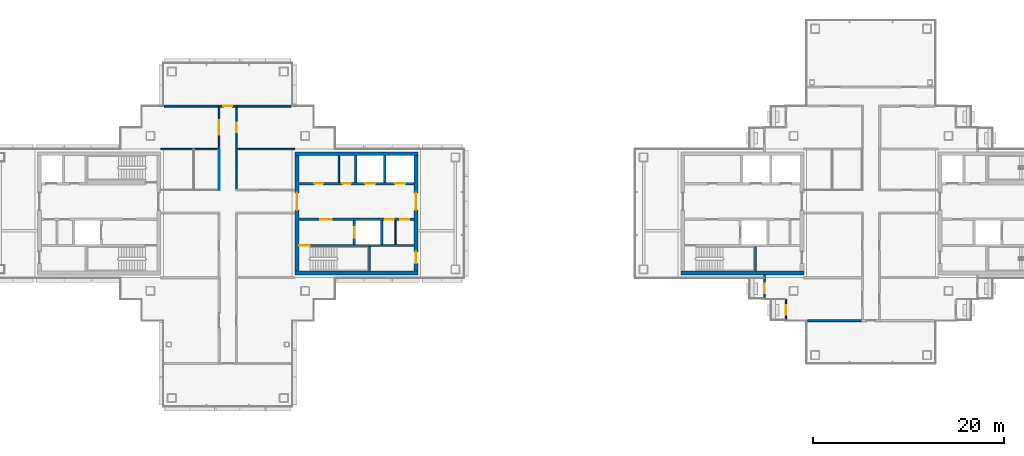
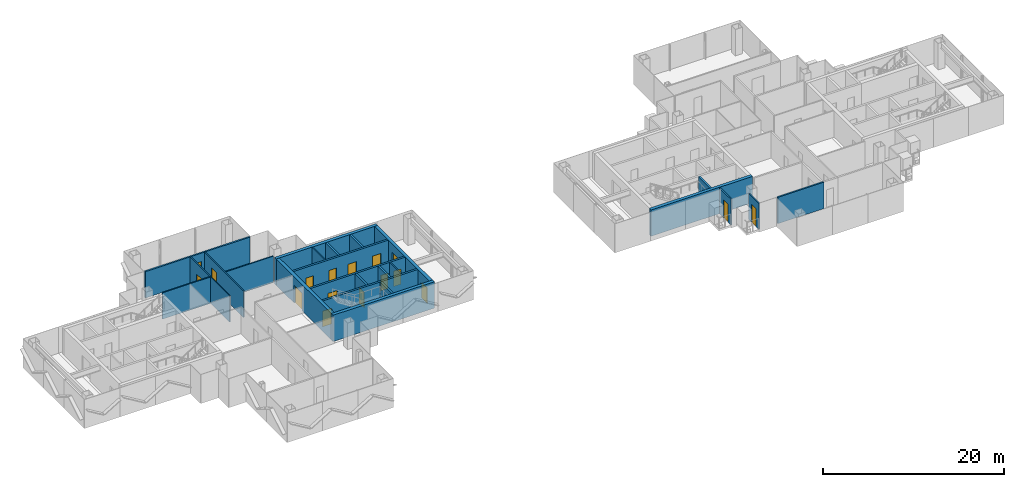
# One storey, part 10 of 17: 27 walls, 17 doors, 17 openings.
"""IFC4 building model written with IfcOpenShell, lengths in metres."""

from ifc_helpers import new_model, si_unit, direction, frame, frame_2d, origin, place, context, subcontext, project, spatial, rectangle, extrude, material, layer, layer_set, type_object, element, fill, save


model = new_model("IFC4")

# Units and contexts
model_context = context("Model", 3, precision=1e-05, world=origin(), true_north=direction((0.0, 1.0)))
body_context = subcontext(model_context, "Body", "Model", "MODEL_VIEW")
ifc_project = project(units=[si_unit("LENGTHUNIT", "METRE"), si_unit("AREAUNIT", "SQUARE_METRE"), si_unit("VOLUMEUNIT", "CUBIC_METRE"), si_unit("PLANEANGLEUNIT", "RADIAN"), si_unit("MASSUNIT", "GRAM", prefix="KILO")], contexts=[model_context])

# Site, building, storey
site_placement = place(None, origin())
site = spatial("IfcSite", under=ifc_project, at=site_placement, CompositionType="ELEMENT")
building_placement = place(site_placement, origin())
building = spatial("IfcBuilding", under=site, at=building_placement, Name="Shamsa Quay Exchange Towers", CompositionType="ELEMENT")
storey_placement = place(building_placement, frame((0.0, 0.0, 234.300048828125)))
storey = spatial("IfcBuildingStorey", under=building, at=storey_placement, Name="L56", CompositionType="ELEMENT", Elevation=234.300048828125)

# Wall, opening, door
ifc_material_1 = material(Name="Double-leaf gypsum board partition with acoustic insulation")
ifc_layer_1 = layer(ifc_material_1, 0.199951171875)
ifc_layer_set_1 = layer_set([ifc_layer_1], Name="Acoustic partition 200 mm EI 60")
wall_type_1 = type_object("IfcWallType", Name="Acoustic partition 200 mm EI 60", PredefinedType="PARTITIONING", material=ifc_layer_set_1)
wall_1_placement = place(storey_placement, frame((-34.725341796875, 11.25, 0.0)))
wall_1 = element("IfcWall", 1, at=wall_1_placement, inside=storey, type_object=wall_type_1, Name="Partition T1-R25-W10", PredefinedType="PARTITIONING", context=body_context, shape_type="SweptSolid", body=[
    extrude(rectangle(XDim=1.95068359375, YDim=0.199951171875, at=frame_2d((0.975341796875, 0.0))), origin(), (0.0, 0.0, 1.0), 3.550048828125),
])
opening_1_placement = place(wall_1_placement, frame((0.525390625, 0.0, 0.0)))
opening_1 = element("IfcOpeningElement", 2, at=opening_1_placement, cuts=wall_1, Name="Opening T1-R25-D06", PredefinedType="OPENING", context=body_context, shape_type="SweptSolid", body=[
    extrude(rectangle(XDim=0.89990234375, YDim=2.39990234375, at=frame_2d((0.449951171875, 1.199951171875))), frame((0.0, 0.10986328125, 0.0), z_axis=(0.0, -1.0, 0.0), x_axis=(1.0, 0.0, 0.0)), (0.0, 0.0, 1.0), 0.219970703125),
])
ifc_material_2 = material(Name="Timber door leaf in a metal frame", Category="wood")
door_type_1 = type_object("IfcDoorType", Name="Door 900x2400 FD30S", OperationType="NOTDEFINED", PredefinedType="DOOR", material=ifc_material_2)
door_1_placement = place(opening_1_placement, origin())
door_1 = element("IfcDoor", 3, at=door_1_placement, inside=storey, type_object=door_type_1, Name="Door T1-R25-D06", OperationType="SINGLE_SWING_LEFT", OverallHeight=2.39990234375, OverallWidth=0.89990234375, PredefinedType="DOOR", context=body_context, shape_type="SweptSolid", body=[
    extrude(rectangle(XDim=0.89990234375, YDim=2.39990234375, at=frame_2d((0.449951171875, 1.199951171875))), frame((0.0, 0.02490234375, 0.0), z_axis=(0.0, -1.0, 0.0), x_axis=(1.0, 0.0, 0.0)), (0.0, 0.0, 1.0), 0.050048828125),
])
fill(opening_1, door_1)

# Walls
for number, where, z_axis, x_axis, name in (
    (4, (-27.094970703125, 11.25, 0.0), (0.0, 0.0, 1.0), (-1.0, 0.0, 0.0), "Partition T1-R25-W18"),
    (5, (-34.575439453125, 11.25, 0.0), (0.0, 0.0, 1.0), (-1.0, 0.0, 0.0), "Partition T1-R25-W19"),
):
    element("IfcWall", number, at=place(storey_placement, frame(where, z_axis=z_axis, x_axis=x_axis)), inside=storey, type_object=wall_type_1, Name=name, PredefinedType="PARTITIONING", context=body_context, shape_type="SweptSolid", body=[
        extrude(rectangle(XDim=5.82958984375, YDim=0.199951171875, at=frame_2d((2.914794921875, 0.0))), origin(), (0.0, 0.0, 1.0), 3.550048828125),
    ])
wall_2_placement = place(storey_placement, frame((27.094970703125, -11.25, 0.0)))
element("IfcWall", 6, at=wall_2_placement, inside=storey, type_object=wall_type_1, Name="Partition T2-R25-W22", PredefinedType="PARTITIONING", context=body_context, shape_type="SweptSolid", body=[
    extrude(rectangle(XDim=5.854736328125, YDim=0.199951171875, at=frame_2d((2.92724609375, 0.0))), origin(), (0.0, 0.0, 1.0), 3.550048828125),
])

# Wall, opening, door
ifc_material_3 = material(Name="Aluminium EN AW-6063 T6, black anodised, with black enamelled glass infill", Category="aluminium")
ifc_layer_2 = layer(ifc_material_3, 0.14990234375)
ifc_layer_set_2 = layer_set([ifc_layer_2], Name="BALCONY DOOR BAY WALL 150")
wall_type_2 = type_object("IfcWallType", Name="BALCONY DOOR BAY WALL 150", PredefinedType="SOLIDWALL", material=ifc_layer_set_2)
wall_3_placement = place(storey_placement, frame((22.574951171875, -9.0, 0.0), z_axis=(0.0, 0.0, 1.0), x_axis=(0.0, 1.0, 0.0)))
wall_3 = element("IfcWall", 7, at=wall_3_placement, inside=storey, type_object=wall_type_2, Name="Door bay T2-PKWN L56", PredefinedType="SOLIDWALL", context=body_context, shape_type="SweptSolid", body=[
    extrude(rectangle(XDim=2.556884765625, YDim=0.14990234375, at=frame_2d((1.2783203125, 0.0))), origin(), (0.0, 0.0, 1.0), 3.449951171875),
])
opening_2_placement = place(wall_3_placement, frame((0.625, 0.0, 0.0)))
opening_2 = element("IfcOpeningElement", 8, at=opening_2_placement, cuts=wall_3, Name="Opening XD373", PredefinedType="OPENING", context=body_context, shape_type="SweptSolid", body=[
    extrude(rectangle(XDim=1.0, YDim=2.39990234375, at=frame_2d((0.5, 1.199951171875))), frame((0.0, 0.0849609375, 0.0), z_axis=(0.0, -1.0, 0.0), x_axis=(1.0, 0.0, 0.0)), (0.0, 0.0, 1.0), 0.169921875),
])
ifc_material_4 = material(Name="Aluminium EN AW-6063 T6, black anodised, with laminated glass leaf", Category="aluminium")
door_type_2 = type_object("IfcDoorType", Name="BALCONY DOOR 1000x2400", OperationType="SINGLE_SWING_LEFT", PredefinedType="DOOR", material=ifc_material_4)
door_2_placement = place(opening_2_placement, origin())
door_2 = element("IfcDoor", 9, at=door_2_placement, inside=storey, type_object=door_type_2, Name="Balcony door T2-PKWN L56", OperationType="SINGLE_SWING_LEFT", OverallHeight=2.39990234375, OverallWidth=1.0, PredefinedType="DOOR", context=body_context, shape_type="SweptSolid", body=[
    extrude(rectangle(XDim=1.0, YDim=2.39990234375, at=frame_2d((0.5, 1.199951171875))), frame((0.0, 0.02490234375, 0.0), z_axis=(0.0, -1.0, 0.0), x_axis=(1.0, 0.0, 0.0)), (0.0, 0.0, 1.0), 0.050048828125),
])
fill(opening_2, door_2)

wall_4_placement = place(storey_placement, frame((24.824951171875, -11.25, 0.0), z_axis=(0.0, 0.0, 1.0), x_axis=(0.0, 1.0, 0.0)))
wall_4 = element("IfcWall", 10, at=wall_4_placement, inside=storey, type_object=wall_type_2, Name="Door bay T2-PKWN L56", PredefinedType="SOLIDWALL", context=body_context, shape_type="SweptSolid", body=[
    extrude(rectangle(XDim=2.25, YDim=0.14990234375, at=frame_2d((1.125, 0.0))), origin(), (0.0, 0.0, 1.0), 3.449951171875),
])
opening_3_placement = place(wall_4_placement, frame((0.625, 0.0, 0.0)))
opening_3 = element("IfcOpeningElement", 11, at=opening_3_placement, cuts=wall_4, Name="Opening XD374", PredefinedType="OPENING", context=body_context, shape_type="SweptSolid", body=[
    extrude(rectangle(XDim=1.0, YDim=2.39990234375, at=frame_2d((0.5, 1.199951171875))), frame((0.0, 0.0849609375, 0.0), z_axis=(0.0, -1.0, 0.0), x_axis=(1.0, 0.0, 0.0)), (0.0, 0.0, 1.0), 0.169921875),
])
door_3_placement = place(opening_3_placement, origin())
door_3 = element("IfcDoor", 12, at=door_3_placement, inside=storey, type_object=door_type_2, Name="Balcony door T2-PKWN L56", OperationType="SINGLE_SWING_RIGHT", OverallHeight=2.39990234375, OverallWidth=1.0, PredefinedType="DOOR", context=body_context, shape_type="SweptSolid", body=[
    extrude(rectangle(XDim=1.0, YDim=2.39990234375, at=frame_2d((0.5, 1.199951171875))), frame((0.0, 0.02490234375, 0.0), z_axis=(0.0, -1.0, 0.0), x_axis=(1.0, 0.0, 0.0)), (0.0, 0.0, 1.0), 0.050048828125),
])
fill(opening_3, door_3)

# Walls
ifc_material_5 = material(Name="Concrete C60/75", Category="concrete")
ifc_layer_3 = layer(ifc_material_5, 0.39990234375)
ifc_layer_set_3 = layer_set([ifc_layer_3], Name="CORE WALL 400 C60/75")
wall_type_3 = type_object("IfcWallType", Name="CORE WALL 400 C60/75", PredefinedType="SHEAR", material=ifc_layer_set_3)
for number, where, name in (
    (13, (-26.699951171875, -6.25, 0.0), "Core wall T1A-R25-PS"),
    (14, (-26.699951171875, 6.25, 0.0), "Core wall T1A-R25-PN"),
):
    element("IfcWall", number, at=place(storey_placement, frame(where)), inside=storey, type_object=wall_type_3, Name=name, PredefinedType="SHEAR", context=body_context, shape_type="SweptSolid", body=[
        extrude(rectangle(XDim=12.89990234375, YDim=0.39990234375, at=frame_2d((6.449951171875, 0.0))), origin(), (0.0, 0.0, 1.0), 3.550048828125),
    ])

# Wall, opening, door
wall_5_placement = place(storey_placement, frame((-26.5, 6.050048828125, 0.0), z_axis=(0.0, 0.0, 1.0), x_axis=(0.0, -1.0, 0.0)))
wall_5 = element("IfcWall", 15, at=wall_5_placement, inside=storey, type_object=wall_type_3, Name="Core wall T1A-R25-PF", PredefinedType="SHEAR", context=body_context, shape_type="SweptSolid", body=[
    extrude(rectangle(XDim=12.10009765625, YDim=0.39990234375, at=frame_2d((6.050048828125, 0.0))), origin(), (0.0, 0.0, 1.0), 3.550048828125),
])
opening_4_placement = place(wall_5_placement, frame((3.89990234375, 0.0, 0.0)))
opening_4 = element("IfcOpeningElement", 16, at=opening_4_placement, cuts=wall_5, Name="Opening T1A-R25-LBD01", PredefinedType="OPENING", context=body_context, shape_type="SweptSolid", body=[
    extrude(rectangle(XDim=1.800048828125, YDim=2.39990234375, at=frame_2d((0.89990234375, 1.199951171875))), frame((0.0, 0.2099609375, 0.0), z_axis=(0.0, -1.0, 0.0), x_axis=(1.0, 0.0, 0.0)), (0.0, 0.0, 1.0), 0.419921875),
])
ifc_material_6 = material(Name="Steel, fire rated", Category="steel")
door_type_3 = type_object("IfcDoorType", Name="LIFT LOBBY DOOR PAIR 1800", OperationType="DOUBLE_DOOR_SINGLE_SWING", PredefinedType="DOOR", material=ifc_material_6)
door_4_placement = place(opening_4_placement, origin())
door_4 = element("IfcDoor", 17, at=door_4_placement, inside=storey, type_object=door_type_3, Name="T1A-R25-LBD01", OperationType="DOUBLE_DOOR_SINGLE_SWING", OverallHeight=2.39990234375, OverallWidth=1.800048828125, PredefinedType="DOOR", context=body_context, shape_type="SweptSolid", body=[
    extrude(rectangle(XDim=1.800048828125, YDim=2.39990234375, at=frame_2d((0.89990234375, 1.199951171875))), frame((0.0, 0.02490234375, 0.0), z_axis=(0.0, -1.0, 0.0), x_axis=(1.0, 0.0, 0.0)), (0.0, 0.0, 1.0), 0.050048828125),
])
fill(opening_4, door_4)

# Wall, openings, doors
wall_6_placement = place(storey_placement, frame((-14.0, 6.050048828125, 0.0), z_axis=(0.0, 0.0, 1.0), x_axis=(0.0, -1.0, 0.0)))
wall_6 = element("IfcWall", 18, at=wall_6_placement, inside=storey, type_object=wall_type_3, Name="Core wall T1A-R25-PB", PredefinedType="SHEAR", context=body_context, shape_type="SweptSolid", body=[
    extrude(rectangle(XDim=12.10009765625, YDim=0.39990234375, at=frame_2d((6.050048828125, 0.0))), origin(), (0.0, 0.0, 1.0), 3.550048828125),
])
opening_5_placement = place(wall_6_placement, frame((10.10009765625, 0.0, 0.0)))
opening_5 = element("IfcOpeningElement", 19, at=opening_5_placement, cuts=wall_6, Name="Opening T1A-R25-RD02", PredefinedType="OPENING", context=body_context, shape_type="SweptSolid", body=[
    extrude(rectangle(XDim=1.199951171875, YDim=2.10009765625, at=frame_2d((0.60009765625, 1.050048828125))), frame((0.0, 0.2099609375, 0.0), z_axis=(0.0, -1.0, 0.0), x_axis=(1.0, 0.0, 0.0)), (0.0, 0.0, 1.0), 0.419921875),
])
opening_6_placement = place(wall_6_placement, frame((3.89990234375, 0.0, 0.0)))
opening_6 = element("IfcOpeningElement", 20, at=opening_6_placement, cuts=wall_6, Name="Opening T1A-R25-LBD03", PredefinedType="OPENING", context=body_context, shape_type="SweptSolid", body=[
    extrude(rectangle(XDim=1.800048828125, YDim=2.39990234375, at=frame_2d((0.89990234375, 1.199951171875))), frame((0.0, 0.2099609375, 0.0), z_axis=(0.0, -1.0, 0.0), x_axis=(1.0, 0.0, 0.0)), (0.0, 0.0, 1.0), 0.419921875),
])
door_5_placement = place(opening_6_placement, origin())
door_5 = element("IfcDoor", 21, at=door_5_placement, inside=storey, type_object=door_type_3, Name="T1A-R25-LBD03", OperationType="DOUBLE_DOOR_SINGLE_SWING", OverallHeight=2.39990234375, OverallWidth=1.800048828125, PredefinedType="DOOR", context=body_context, shape_type="SweptSolid", body=[
    extrude(rectangle(XDim=1.800048828125, YDim=2.39990234375, at=frame_2d((0.89990234375, 1.199951171875))), frame((0.0, 0.02490234375, 0.0), z_axis=(0.0, -1.0, 0.0), x_axis=(1.0, 0.0, 0.0)), (0.0, 0.0, 1.0), 0.050048828125),
])
fill(opening_6, door_5)
door_type_4 = type_object("IfcDoorType", Name="RISER ACCESS DOOR 1200", OperationType="SINGLE_SWING_LEFT", PredefinedType="DOOR", material=ifc_material_6)
door_6_placement = place(opening_5_placement, origin())
door_6 = element("IfcDoor", 22, at=door_6_placement, inside=storey, type_object=door_type_4, Name="T1A-R25-RD02", OperationType="SINGLE_SWING_RIGHT", OverallHeight=2.10009765625, OverallWidth=1.199951171875, PredefinedType="DOOR", context=body_context, shape_type="SweptSolid", body=[
    extrude(rectangle(XDim=1.199951171875, YDim=2.10009765625, at=frame_2d((0.60009765625, 1.050048828125))), frame((0.0, 0.02490234375, 0.0), z_axis=(0.0, -1.0, 0.0), x_axis=(1.0, 0.0, 0.0)), (0.0, 0.0, 1.0), 0.050048828125),
])
fill(opening_5, door_6)

# Walls
wall_7_placement = place(storey_placement, frame((13.800048828125, -6.25, 0.0)))
element("IfcWall", 23, at=wall_7_placement, inside=storey, type_object=wall_type_3, Name="Core wall T2A-R25-PS", PredefinedType="SHEAR", context=body_context, shape_type="SweptSolid", body=[
    extrude(rectangle(XDim=12.89990234375, YDim=0.39990234375, at=frame_2d((6.449951171875, 0.0))), origin(), (0.0, 0.0, 1.0), 3.550048828125),
])
ifc_material_7 = material(Name="Gypsum board on steel studs, EI 60", Category="steel")
ifc_layer_4 = layer(ifc_material_7, 0.14990234375)
ifc_layer_set_4 = layer_set([ifc_layer_4], Name="FIRE PARTITION 150")
wall_type_4 = type_object("IfcWallType", Name="FIRE PARTITION 150", PredefinedType="PARTITIONING", material=ifc_layer_set_4)
wall_8_placement = place(storey_placement, frame((-16.14990234375, -3.25, 0.0), z_axis=(0.0, 0.0, 1.0), x_axis=(0.0, 1.0, 0.0)))
element("IfcWall", 24, at=wall_8_placement, inside=storey, type_object=wall_type_4, Name="Partition T1A-R25-EC0", PredefinedType="PARTITIONING", context=body_context, shape_type="SweptSolid", body=[
    extrude(rectangle(XDim=2.5, YDim=0.14990234375, at=frame_2d((1.25, 0.0))), origin(), (0.0, 0.0, 1.0), 3.550048828125),
])
wall_9_placement = place(storey_placement, frame((-22.10009765625, 3.25, 0.0), z_axis=(0.0, 0.0, 1.0), x_axis=(0.0, 1.0, 0.0)))
element("IfcWall", 25, at=wall_9_placement, inside=storey, type_object=wall_type_4, Name="Partition T1A-R25-FC0", PredefinedType="PARTITIONING", context=body_context, shape_type="SweptSolid", body=[
    extrude(rectangle(XDim=2.800048828125, YDim=0.14990234375, at=frame_2d((1.39990234375, 0.0))), origin(), (0.0, 0.0, 1.0), 3.550048828125),
])
ifc_material_8 = material(Name="Gypsum board partition on metal studs")
ifc_layer_5 = layer(ifc_material_8, 0.10009765625)
ifc_layer_set_5 = layer_set([ifc_layer_5], Name="Partition 100 mm NOT RATED")
wall_type_5 = type_object("IfcWallType", Name="Partition 100 mm NOT RATED", PredefinedType="PARTITIONING", material=ifc_layer_set_5)
wall_10_placement = place(storey_placement, frame((-34.650390625, 2.500244140625, 0.0), z_axis=(0.0, 0.0, 1.0), x_axis=(0.0, 1.0, 0.0)))
element("IfcWall", 26, at=wall_10_placement, inside=storey, type_object=wall_type_5, Name="Partition T1-R25-W07", PredefinedType="PARTITIONING", context=body_context, shape_type="SweptSolid", body=[
    extrude(rectangle(XDim=4.1748046875, YDim=0.10009765625, at=frame_2d((2.08740234375, 0.0))), origin(), (0.0, 0.0, 1.0), 3.550048828125),
])

# Wall, opening, door
ifc_layer_6 = layer(ifc_material_8, 0.14990234375)
ifc_layer_set_6 = layer_set([ifc_layer_6], Name="Partition 150 mm EI 60")
wall_type_6 = type_object("IfcWallType", Name="Partition 150 mm EI 60", PredefinedType="PARTITIONING", material=ifc_layer_set_6)
wall_11_placement = place(storey_placement, frame((-32.849609375, 11.14990234375, 0.0), z_axis=(0.0, 0.0, 1.0), x_axis=(0.0, -1.0, 0.0)))
wall_11 = element("IfcWall", 27, at=wall_11_placement, inside=storey, type_object=wall_type_6, Name="Partition T1-R25-W01", PredefinedType="PARTITIONING", context=body_context, shape_type="SweptSolid", body=[
    extrude(rectangle(XDim=8.624755859375, YDim=0.14990234375, at=frame_2d((4.3125, 0.0))), origin(), (0.0, 0.0, 1.0), 3.550048828125),
])
opening_7_placement = place(wall_11_placement, frame((1.64990234375, 0.0, 0.0)))
opening_7 = element("IfcOpeningElement", 28, at=opening_7_placement, cuts=wall_11, Name="Opening T1-R25-D11", PredefinedType="OPENING", context=body_context, shape_type="SweptSolid", body=[
    extrude(rectangle(XDim=1.0, YDim=2.39990234375, at=frame_2d((0.5, 1.199951171875))), frame((0.0, 0.0849609375, 0.0), z_axis=(0.0, -1.0, 0.0), x_axis=(1.0, 0.0, 0.0)), (0.0, 0.0, 1.0), 0.169921875),
])
door_type_5 = type_object("IfcDoorType", Name="Door 1000x2400 FD30S", OperationType="NOTDEFINED", PredefinedType="DOOR", material=ifc_material_2)
door_7_placement = place(opening_7_placement, origin())
door_7 = element("IfcDoor", 29, at=door_7_placement, inside=storey, type_object=door_type_5, Name="Door T1-R25-D11", OperationType="SINGLE_SWING_RIGHT", OverallHeight=2.39990234375, OverallWidth=1.0, PredefinedType="DOOR", context=body_context, shape_type="SweptSolid", body=[
    extrude(rectangle(XDim=1.0, YDim=2.39990234375, at=frame_2d((0.5, 1.199951171875))), frame((0.0, 0.02490234375, 0.0), z_axis=(0.0, -1.0, 0.0), x_axis=(1.0, 0.0, 0.0)), (0.0, 0.0, 1.0), 0.050048828125),
])
fill(opening_7, door_7)

wall_12_placement = place(storey_placement, frame((-34.650390625, 6.824951171875, 0.0), z_axis=(0.0, 0.0, 1.0), x_axis=(0.0, 1.0, 0.0)))
wall_12 = element("IfcWall", 30, at=wall_12_placement, inside=storey, type_object=wall_type_6, Name="Partition T1-R25-W09", PredefinedType="PARTITIONING", context=body_context, shape_type="SweptSolid", body=[
    extrude(rectangle(XDim=4.324951171875, YDim=0.14990234375, at=frame_2d((2.16259765625, 0.0))), origin(), (0.0, 0.0, 1.0), 3.550048828125),
])
opening_8_placement = place(wall_12_placement, frame((1.425048828125, 0.0, 0.0)))
opening_8 = element("IfcOpeningElement", 31, at=opening_8_placement, cuts=wall_12, Name="Opening T1-R25-D05", PredefinedType="OPENING", context=body_context, shape_type="SweptSolid", body=[
    extrude(rectangle(XDim=1.5, YDim=2.10009765625, at=frame_2d((0.75, 1.050048828125))), frame((0.0, 0.0849609375, 0.0), z_axis=(0.0, -1.0, 0.0), x_axis=(1.0, 0.0, 0.0)), (0.0, 0.0, 1.0), 0.169921875),
])
door_type_6 = type_object("IfcDoorType", Name="Door 1500x2100 FD30S pair", OperationType="NOTDEFINED", PredefinedType="DOOR", material=ifc_material_2)
door_8_placement = place(opening_8_placement, origin())
door_8 = element("IfcDoor", 32, at=door_8_placement, inside=storey, type_object=door_type_6, Name="Door T1-R25-D05", OperationType="DOUBLE_DOOR_SINGLE_SWING", OverallHeight=2.10009765625, OverallWidth=1.5, PredefinedType="DOOR", context=body_context, shape_type="SweptSolid", body=[
    extrude(rectangle(XDim=1.5, YDim=2.10009765625, at=frame_2d((0.75, 1.050048828125))), frame((0.0, 0.02490234375, 0.0), z_axis=(0.0, -1.0, 0.0), x_axis=(1.0, 0.0, 0.0)), (0.0, 0.0, 1.0), 0.050048828125),
])
fill(opening_8, door_8)

# Walls
wall_13_placement = place(storey_placement, frame((-26.699951171875, 6.75, 0.0), z_axis=(0.0, 0.0, 1.0), x_axis=(-1.0, 0.0, 0.0)))
element("IfcWall", 33, at=wall_13_placement, inside=storey, type_object=wall_type_6, Name="Partition T1-R25-W13", PredefinedType="PARTITIONING", context=body_context, shape_type="SweptSolid", body=[
    extrude(rectangle(XDim=6.07470703125, YDim=0.14990234375, at=frame_2d((3.037353515625, 0.0))), origin(), (0.0, 0.0, 1.0), 3.550048828125),
])
wall_14_placement = place(storey_placement, frame((-34.575439453125, 6.75, 0.0), z_axis=(0.0, 0.0, 1.0), x_axis=(-1.0, 0.0, 0.0)))
element("IfcWall", 34, at=wall_14_placement, inside=storey, type_object=wall_type_6, Name="Partition T1-R25-W14", PredefinedType="PARTITIONING", context=body_context, shape_type="SweptSolid", body=[
    extrude(rectangle(XDim=6.224609375, YDim=0.14990234375, at=frame_2d((3.1123046875, 0.0))), origin(), (0.0, 0.0, 1.0), 3.550048828125),
])

# Wall, opening, door
ifc_material_9 = material(Name="Concrete C50/60", Category="concrete")
ifc_layer_7 = layer(ifc_material_9, 0.25)
ifc_layer_set_7 = layer_set([ifc_layer_7], Name="SHAFT WALL 250 C50/60")
wall_type_7 = type_object("IfcWallType", Name="SHAFT WALL 250 C50/60", PredefinedType="SHEAR", material=ifc_layer_set_7)
wall_15_placement = place(storey_placement, frame((-14.199951171875, -3.375, 0.0), z_axis=(0.0, 0.0, 1.0), x_axis=(-1.0, 0.0, 0.0)))
wall_15 = element("IfcWall", 35, at=wall_15_placement, inside=storey, type_object=wall_type_7, Name="Shaft wall T1A-R25-STL", PredefinedType="SHEAR", context=body_context, shape_type="SweptSolid", body=[
    extrude(rectangle(XDim=12.10009765625, YDim=0.25, at=frame_2d((6.050048828125, 0.0))), origin(), (0.0, 0.0, 1.0), 3.550048828125),
])
opening_9_placement = place(wall_15_placement, frame((10.949951171875, 0.0, 0.0)))
opening_9 = element("IfcOpeningElement", 36, at=opening_9_placement, cuts=wall_15, Name="Opening T1A-R25-SD04", PredefinedType="OPENING", context=body_context, shape_type="SweptSolid", body=[
    extrude(rectangle(XDim=1.10009765625, YDim=2.10009765625, at=frame_2d((0.550048828125, 1.050048828125))), frame((0.0, 0.135009765625, 0.0), z_axis=(0.0, -1.0, 0.0), x_axis=(1.0, 0.0, 0.0)), (0.0, 0.0, 1.0), 0.27001953125),
])
door_type_7 = type_object("IfcDoorType", Name="STAIR DOOR 1100", OperationType="SINGLE_SWING_LEFT", PredefinedType="DOOR", material=ifc_material_6)
door_9_placement = place(opening_9_placement, origin())
door_9 = element("IfcDoor", 37, at=door_9_placement, inside=storey, type_object=door_type_7, Name="T1A-R25-SD04", OperationType="SINGLE_SWING_RIGHT", OverallHeight=2.10009765625, OverallWidth=1.10009765625, PredefinedType="DOOR", context=body_context, shape_type="SweptSolid", body=[
    extrude(rectangle(XDim=1.10009765625, YDim=2.10009765625, at=frame_2d((0.550048828125, 1.050048828125))), frame((0.0, 0.02490234375, 0.0), z_axis=(0.0, -1.0, 0.0), x_axis=(1.0, 0.0, 0.0)), (0.0, 0.0, 1.0), 0.050048828125),
])
fill(opening_9, door_9)

# Wall
wall_16_placement = place(storey_placement, frame((-18.875, -6.050048828125, 0.0), z_axis=(0.0, 0.0, 1.0), x_axis=(0.0, 1.0, 0.0)))
element("IfcWall", 38, at=wall_16_placement, inside=storey, type_object=wall_type_7, Name="Shaft wall T1A-R25-STF", PredefinedType="SHEAR", context=body_context, shape_type="SweptSolid", body=[
    extrude(rectangle(XDim=2.550048828125, YDim=0.25, at=frame_2d((1.27490234375, 0.0))), origin(), (0.0, 0.0, 1.0), 3.550048828125),
])

# Wall, openings, doors
wall_17_placement = place(storey_placement, frame((-14.199951171875, -0.625, 0.0), z_axis=(0.0, 0.0, 1.0), x_axis=(-1.0, 0.0, 0.0)))
wall_17 = element("IfcWall", 39, at=wall_17_placement, inside=storey, type_object=wall_type_7, Name="Shaft wall T1A-R25-B", PredefinedType="SHEAR", context=body_context, shape_type="SweptSolid", body=[
    extrude(rectangle(XDim=12.10009765625, YDim=0.25, at=frame_2d((6.050048828125, 0.0))), origin(), (0.0, 0.0, 1.0), 3.550048828125),
])
opening_10_placement = place(wall_17_placement, frame((8.64990234375, 0.0, 0.0)))
opening_10 = element("IfcOpeningElement", 40, at=opening_10_placement, cuts=wall_17, Name="Opening T1A-R25-FD05", PredefinedType="OPENING", context=body_context, shape_type="SweptSolid", body=[
    extrude(rectangle(XDim=1.199951171875, YDim=2.10009765625, at=frame_2d((0.60009765625, 1.050048828125))), frame((0.0, 0.135009765625, 0.0), z_axis=(0.0, -1.0, 0.0), x_axis=(1.0, 0.0, 0.0)), (0.0, 0.0, 1.0), 0.27001953125),
])
opening_11_placement = place(wall_17_placement, frame((2.14990234375, 0.0, 0.0)))
opening_11 = element("IfcOpeningElement", 41, at=opening_11_placement, cuts=wall_17, Name="Opening T1A-R25-SV06", PredefinedType="OPENING", context=body_context, shape_type="SweptSolid", body=[
    extrude(rectangle(XDim=0.89990234375, YDim=2.10009765625, at=frame_2d((0.449951171875, 1.050048828125))), frame((0.0, 0.135009765625, 0.0), z_axis=(0.0, -1.0, 0.0), x_axis=(1.0, 0.0, 0.0)), (0.0, 0.0, 1.0), 0.27001953125),
])
opening_12_placement = place(wall_17_placement, frame((0.52490234375, 0.0, 0.0)))
opening_12 = element("IfcOpeningElement", 42, at=opening_12_placement, cuts=wall_17, Name="Opening T1A-R25-SV07", PredefinedType="OPENING", context=body_context, shape_type="SweptSolid", body=[
    extrude(rectangle(XDim=0.89990234375, YDim=2.10009765625, at=frame_2d((0.449951171875, 1.050048828125))), frame((0.0, 0.135009765625, 0.0), z_axis=(0.0, -1.0, 0.0), x_axis=(1.0, 0.0, 0.0)), (0.0, 0.0, 1.0), 0.27001953125),
])
door_type_8 = type_object("IfcDoorType", Name="FIRE SERVICE LOBBY DOOR 1200", OperationType="SINGLE_SWING_LEFT", PredefinedType="DOOR", material=ifc_material_6)
door_10_placement = place(opening_10_placement, origin())
door_10 = element("IfcDoor", 43, at=door_10_placement, inside=storey, type_object=door_type_8, Name="T1A-R25-FD05", OperationType="SINGLE_SWING_RIGHT", OverallHeight=2.10009765625, OverallWidth=1.199951171875, PredefinedType="DOOR", context=body_context, shape_type="SweptSolid", body=[
    extrude(rectangle(XDim=1.199951171875, YDim=2.10009765625, at=frame_2d((0.60009765625, 1.050048828125))), frame((0.0, 0.02490234375, 0.0), z_axis=(0.0, -1.0, 0.0), x_axis=(1.0, 0.0, 0.0)), (0.0, 0.0, 1.0), 0.050048828125),
])
fill(opening_10, door_10)
door_type_9 = type_object("IfcDoorType", Name="SERVICE ROOM DOOR 900", OperationType="SINGLE_SWING_LEFT", PredefinedType="DOOR", material=ifc_material_6)
door_11_placement = place(opening_11_placement, origin())
door_11 = element("IfcDoor", 44, at=door_11_placement, inside=storey, type_object=door_type_9, Name="T1A-R25-SV06", OperationType="SINGLE_SWING_LEFT", OverallHeight=2.10009765625, OverallWidth=0.89990234375, PredefinedType="DOOR", context=body_context, shape_type="SweptSolid", body=[
    extrude(rectangle(XDim=0.89990234375, YDim=2.10009765625, at=frame_2d((0.449951171875, 1.050048828125))), frame((0.0, 0.02490234375, 0.0), z_axis=(0.0, -1.0, 0.0), x_axis=(1.0, 0.0, 0.0)), (0.0, 0.0, 1.0), 0.050048828125),
])
fill(opening_11, door_11)
door_12_placement = place(opening_12_placement, origin())
door_12 = element("IfcDoor", 45, at=door_12_placement, inside=storey, type_object=door_type_9, Name="T1A-R25-SV07", OperationType="SINGLE_SWING_LEFT", OverallHeight=2.10009765625, OverallWidth=0.89990234375, PredefinedType="DOOR", context=body_context, shape_type="SweptSolid", body=[
    extrude(rectangle(XDim=0.89990234375, YDim=2.10009765625, at=frame_2d((0.449951171875, 1.050048828125))), frame((0.0, 0.02490234375, 0.0), z_axis=(0.0, -1.0, 0.0), x_axis=(1.0, 0.0, 0.0)), (0.0, 0.0, 1.0), 0.050048828125),
])
fill(opening_12, door_12)

# Wall, opening, door
wall_18_placement = place(storey_placement, frame((-20.47509765625, -3.25, 0.0), z_axis=(0.0, 0.0, 1.0), x_axis=(0.0, 1.0, 0.0)))
wall_18 = element("IfcWall", 46, at=wall_18_placement, inside=storey, type_object=wall_type_7, Name="Shaft wall T1A-R25-FFF", PredefinedType="SHEAR", context=body_context, shape_type="SweptSolid", body=[
    extrude(rectangle(XDim=2.5, YDim=0.25, at=frame_2d((1.25, 0.0))), origin(), (0.0, 0.0, 1.0), 3.550048828125),
])
opening_13_placement = place(wall_18_placement, frame((0.699951171875, 0.0, 0.0)))
opening_13 = element("IfcOpeningElement", 47, at=opening_13_placement, cuts=wall_18, Name="Opening T1A-R25-LDF08", PredefinedType="OPENING", context=body_context, shape_type="SweptSolid", body=[
    extrude(rectangle(XDim=1.10009765625, YDim=2.10009765625, at=frame_2d((0.550048828125, 1.050048828125))), frame((0.0, 0.135009765625, 0.0), z_axis=(0.0, -1.0, 0.0), x_axis=(1.0, 0.0, 0.0)), (0.0, 0.0, 1.0), 0.27001953125),
])
door_type_10 = type_object("IfcDoorType", Name="FIRE SERVICE LANDING DOOR 1100", OperationType="SLIDING_TO_LEFT", PredefinedType="DOOR", material=ifc_material_6)
door_13_placement = place(opening_13_placement, origin())
door_13 = element("IfcDoor", 48, at=door_13_placement, inside=storey, type_object=door_type_10, Name="T1A-R25-LDF08", OperationType="SLIDING_TO_LEFT", OverallHeight=2.10009765625, OverallWidth=1.10009765625, PredefinedType="DOOR", context=body_context, shape_type="SweptSolid", body=[
    extrude(rectangle(XDim=1.10009765625, YDim=2.10009765625, at=frame_2d((0.550048828125, 1.050048828125))), frame((0.0, 0.02490234375, 0.0), z_axis=(0.0, -1.0, 0.0), x_axis=(1.0, 0.0, 0.0)), (0.0, 0.0, 1.0), 0.050048828125),
])
fill(opening_13, door_13)

# Wall
wall_19_placement = place(storey_placement, frame((-17.574951171875, -3.25, 0.0), z_axis=(0.0, 0.0, 1.0), x_axis=(0.0, 1.0, 0.0)))
element("IfcWall", 49, at=wall_19_placement, inside=storey, type_object=wall_type_7, Name="Shaft wall T1A-R25-FFB", PredefinedType="SHEAR", context=body_context, shape_type="SweptSolid", body=[
    extrude(rectangle(XDim=2.5, YDim=0.25, at=frame_2d((1.25, 0.0))), origin(), (0.0, 0.0, 1.0), 3.550048828125),
])

# Wall, openings, doors
wall_20_placement = place(storey_placement, frame((-26.300048828125, 3.125, 0.0)))
wall_20 = element("IfcWall", 50, at=wall_20_placement, inside=storey, type_object=wall_type_7, Name="Shaft wall T1A-R25-N", PredefinedType="SHEAR", context=body_context, shape_type="SweptSolid", body=[
    extrude(rectangle(XDim=12.10009765625, YDim=0.25, at=frame_2d((6.050048828125, 0.0))), origin(), (0.0, 0.0, 1.0), 3.550048828125),
])
opening_14_placement = place(wall_20_placement, frame((6.949951171875, 0.0, 0.0)))
opening_14 = element("IfcOpeningElement", 51, at=opening_14_placement, cuts=wall_20, Name="Opening T1A-R25-LD09", PredefinedType="OPENING", context=body_context, shape_type="SweptSolid", body=[
    extrude(rectangle(XDim=1.10009765625, YDim=2.10009765625, at=frame_2d((0.550048828125, 1.050048828125))), frame((0.0, 0.135009765625, 0.0), z_axis=(0.0, -1.0, 0.0), x_axis=(1.0, 0.0, 0.0)), (0.0, 0.0, 1.0), 0.27001953125),
])
opening_15_placement = place(wall_20_placement, frame((10.074951171875, 0.0, 0.0)))
opening_15 = element("IfcOpeningElement", 52, at=opening_15_placement, cuts=wall_20, Name="Opening T1A-R25-LD10", PredefinedType="OPENING", context=body_context, shape_type="SweptSolid", body=[
    extrude(rectangle(XDim=1.10009765625, YDim=2.10009765625, at=frame_2d((0.550048828125, 1.050048828125))), frame((0.0, 0.135009765625, 0.0), z_axis=(0.0, -1.0, 0.0), x_axis=(1.0, 0.0, 0.0)), (0.0, 0.0, 1.0), 0.27001953125),
])
opening_16_placement = place(wall_20_placement, frame((1.64990234375, 0.0, 0.0)))
opening_16 = element("IfcOpeningElement", 53, at=opening_16_placement, cuts=wall_20, Name="Opening T1A-R25-SV11", PredefinedType="OPENING", context=body_context, shape_type="SweptSolid", body=[
    extrude(rectangle(XDim=0.89990234375, YDim=2.10009765625, at=frame_2d((0.449951171875, 1.050048828125))), frame((0.0, 0.135009765625, 0.0), z_axis=(0.0, -1.0, 0.0), x_axis=(1.0, 0.0, 0.0)), (0.0, 0.0, 1.0), 0.27001953125),
])
opening_17_placement = place(wall_20_placement, frame((4.574951171875, 0.0, 0.0)))
opening_17 = element("IfcOpeningElement", 54, at=opening_17_placement, cuts=wall_20, Name="Opening T1A-R25-SV12", PredefinedType="OPENING", context=body_context, shape_type="SweptSolid", body=[
    extrude(rectangle(XDim=0.89990234375, YDim=2.10009765625, at=frame_2d((0.449951171875, 1.050048828125))), frame((0.0, 0.135009765625, 0.0), z_axis=(0.0, -1.0, 0.0), x_axis=(1.0, 0.0, 0.0)), (0.0, 0.0, 1.0), 0.27001953125),
])
door_type_11 = type_object("IfcDoorType", Name="LANDING DOOR 1100", OperationType="SLIDING_TO_LEFT", PredefinedType="DOOR", material=ifc_material_6)
door_14_placement = place(opening_14_placement, origin())
door_14 = element("IfcDoor", 55, at=door_14_placement, inside=storey, type_object=door_type_11, Name="T1A-R25-LD09", OperationType="SLIDING_TO_LEFT", OverallHeight=2.10009765625, OverallWidth=1.10009765625, PredefinedType="DOOR", context=body_context, shape_type="SweptSolid", body=[
    extrude(rectangle(XDim=1.10009765625, YDim=2.10009765625, at=frame_2d((0.550048828125, 1.050048828125))), frame((0.0, 0.02490234375, 0.0), z_axis=(0.0, -1.0, 0.0), x_axis=(1.0, 0.0, 0.0)), (0.0, 0.0, 1.0), 0.050048828125),
])
fill(opening_14, door_14)
door_15_placement = place(opening_15_placement, origin())
door_15 = element("IfcDoor", 56, at=door_15_placement, inside=storey, type_object=door_type_11, Name="T1A-R25-LD10", OperationType="SLIDING_TO_LEFT", OverallHeight=2.10009765625, OverallWidth=1.10009765625, PredefinedType="DOOR", context=body_context, shape_type="SweptSolid", body=[
    extrude(rectangle(XDim=1.10009765625, YDim=2.10009765625, at=frame_2d((0.550048828125, 1.050048828125))), frame((0.0, 0.02490234375, 0.0), z_axis=(0.0, -1.0, 0.0), x_axis=(1.0, 0.0, 0.0)), (0.0, 0.0, 1.0), 0.050048828125),
])
fill(opening_15, door_15)
door_16_placement = place(opening_16_placement, origin())
door_16 = element("IfcDoor", 57, at=door_16_placement, inside=storey, type_object=door_type_9, Name="T1A-R25-SV11", OperationType="SINGLE_SWING_LEFT", OverallHeight=2.10009765625, OverallWidth=0.89990234375, PredefinedType="DOOR", context=body_context, shape_type="SweptSolid", body=[
    extrude(rectangle(XDim=0.89990234375, YDim=2.10009765625, at=frame_2d((0.449951171875, 1.050048828125))), frame((0.0, 0.02490234375, 0.0), z_axis=(0.0, -1.0, 0.0), x_axis=(1.0, 0.0, 0.0)), (0.0, 0.0, 1.0), 0.050048828125),
])
fill(opening_16, door_16)
door_17_placement = place(opening_17_placement, origin())
door_17 = element("IfcDoor", 58, at=door_17_placement, inside=storey, type_object=door_type_9, Name="T1A-R25-SV12", OperationType="SINGLE_SWING_LEFT", OverallHeight=2.10009765625, OverallWidth=0.89990234375, PredefinedType="DOOR", context=body_context, shape_type="SweptSolid", body=[
    extrude(rectangle(XDim=0.89990234375, YDim=2.10009765625, at=frame_2d((0.449951171875, 1.050048828125))), frame((0.0, 0.02490234375, 0.0), z_axis=(0.0, -1.0, 0.0), x_axis=(1.0, 0.0, 0.0)), (0.0, 0.0, 1.0), 0.050048828125),
])
fill(opening_17, door_17)

# Walls
for number, where, z_axis, x_axis, name in (
    (59, (-20.324951171875, 3.25, 0.0), (0.0, 0.0, 1.0), (0.0, 1.0, 0.0), "Shaft wall T1A-R25-D1"),
    (60, (-17.27490234375, 3.25, 0.0), (0.0, 0.0, 1.0), (0.0, 1.0, 0.0), "Shaft wall T1A-R25-D2"),
):
    element("IfcWall", number, at=place(storey_placement, frame(where, z_axis=z_axis, x_axis=x_axis)), inside=storey, type_object=wall_type_7, Name=name, PredefinedType="SHEAR", context=body_context, shape_type="SweptSolid", body=[
        extrude(rectangle(XDim=2.800048828125, YDim=0.25, at=frame_2d((1.39990234375, 0.0))), origin(), (0.0, 0.0, 1.0), 3.550048828125),
    ])
wall_21_placement = place(storey_placement, frame((21.625, -6.050048828125, 0.0), z_axis=(0.0, 0.0, 1.0), x_axis=(0.0, 1.0, 0.0)))
element("IfcWall", 61, at=wall_21_placement, inside=storey, type_object=wall_type_7, Name="Shaft wall T2A-R25-STF", PredefinedType="SHEAR", context=body_context, shape_type="SweptSolid", body=[
    extrude(rectangle(XDim=2.550048828125, YDim=0.25, at=frame_2d((1.27490234375, 0.0))), origin(), (0.0, 0.0, 1.0), 3.550048828125),
])

save(model, "model.ifc")
